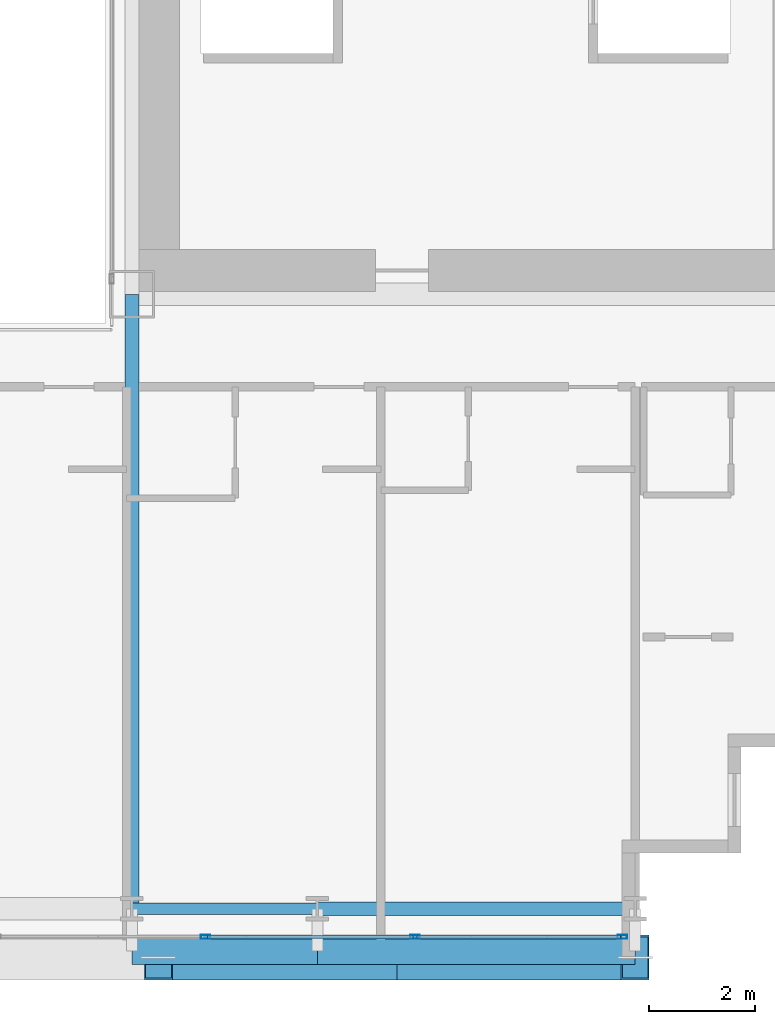
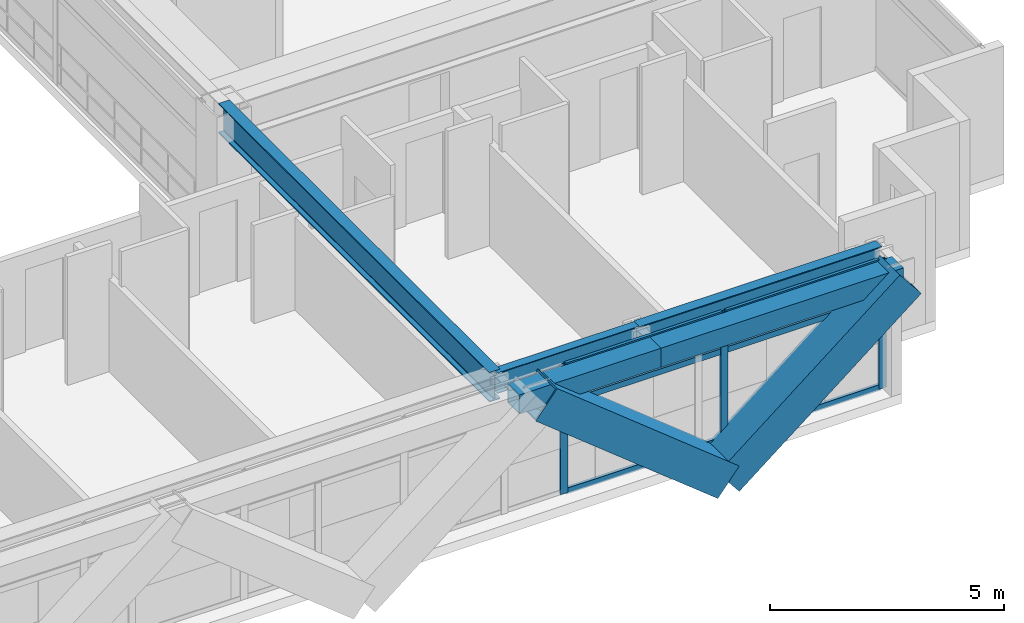
# One storey, part 11 of 41: 11 members, 5 beams, 1 element without a shape of its own.
"""IFC4 building model written with IfcOpenShell, lengths in metres."""

from ifc_helpers import new_model, si_unit, direction, frame, origin, origin_2d, place, context, subcontext, project, spatial, hollow_rectangle, i_section, extrude, source, transform, mapped, material, layer, layer_set, material_profile, profile_set, type_object, element, aggregate, save


model = new_model("IFC4")

# Units and contexts
model_context = context("Model", 3, precision=1e-05, world=origin(), true_north=direction((0.0, 1.0)))
body_context = subcontext(model_context, "Body", "Model", "MODEL_VIEW")
ifc_project = project(units=[si_unit("LENGTHUNIT", "METRE"), si_unit("AREAUNIT", "SQUARE_METRE"), si_unit("VOLUMEUNIT", "CUBIC_METRE"), si_unit("PLANEANGLEUNIT", "RADIAN"), si_unit("MASSUNIT", "GRAM", prefix="KILO")], contexts=[model_context])

# Site, building, storey
site_placement = place(None, origin())
site = spatial("IfcSite", under=ifc_project, at=site_placement, CompositionType="ELEMENT")
building_placement = place(site_placement, origin())
building = spatial("IfcBuilding", under=site, at=building_placement, Name="Ocotamira Hotel", CompositionType="ELEMENT")
storey_placement = place(building_placement, frame((0.0, 0.0, 38.39990234375)))
storey = spatial("IfcBuildingStorey", under=building, at=storey_placement, Name="L08", CompositionType="ELEMENT", Elevation=38.39990234375)

# Beams
ifc_material_1 = material(Name="Steel ASTM A992 Grade 50", Category="steel")
ifc_material_profile_1 = material_profile(ifc_material_1, i_section(OverallWidth=0.256103515625, OverallDepth=0.693115234375, WebThickness=0.014404296875, FlangeThickness=0.023681640625, FilletRadius=0.01611328125, at=origin_2d()), Name="W27X114")
ifc_profile_set_1 = profile_set([ifc_material_profile_1], Name="Steel ASTM A992 Grade 50")
beam_type_1 = type_object("IfcBeamType", Name="BM-PRIM-W27X114", PredefinedType="BEAM", material=ifc_profile_set_1)
shared_shape_1 = source(origin(), body_context, "Body", "SweptSolid", [
    extrude(i_section(OverallWidth=0.256103515625, OverallDepth=0.693115234375, WebThickness=0.014404296875, FlangeThickness=0.023681640625, FilletRadius=0.01611328125, at=origin_2d()), origin(), (0.0, 0.0, 1.0), 6.0),
])
beam_1_placement = place(storey_placement, frame((44.0, 2.949951171875, 3.003662109375), z_axis=(1.0, 0.0, 0.0), x_axis=(0.0, 1.0, 0.0)))
element("IfcBeam", 1, at=beam_1_placement, inside=storey, type_object=beam_type_1, Name="L08 Girder Y2.95 X44-50", PredefinedType="BEAM", context=body_context, shape_type="MappedRepresentation", body=[
    mapped(shared_shape_1, transform((0.0, 0.0, 0.0), scale=1.0)),
])
ifc_material_profile_2 = material_profile(ifc_material_1, i_section(OverallWidth=0.2099609375, OverallDepth=0.537109375, WebThickness=0.010986328125, FlangeThickness=0.017333984375, FilletRadius=0.012939453125, at=origin_2d()), Name="W21X68")
ifc_profile_set_2 = profile_set([ifc_material_profile_2], Name="Steel ASTM A992 Grade 50")
beam_type_2 = type_object("IfcBeamType", Name="BM-SEC-W21X68", PredefinedType="JOIST", material=ifc_profile_set_2)
shared_shape_2 = source(origin(), body_context, "Body", "SweptSolid", [
    extrude(i_section(OverallWidth=0.2099609375, OverallDepth=0.537109375, WebThickness=0.010986328125, FlangeThickness=0.017333984375, FilletRadius=0.012939453125, at=origin_2d()), origin(), (0.0, 0.0, 1.0), 3.5),
])
beam_2_placement = place(storey_placement, frame((40.5, 2.949951171875, 3.08154296875), z_axis=(1.0, 0.0, 0.0), x_axis=(0.0, 1.0, 0.0)))
element("IfcBeam", 2, at=beam_2_placement, inside=storey, type_object=beam_type_2, Name="L08 Girder Y2.95 X40.5-44", PredefinedType="JOIST", context=body_context, shape_type="MappedRepresentation", body=[
    mapped(shared_shape_2, transform((0.0, 0.0, 0.0), scale=1.0)),
])
ifc_material_profile_3 = material_profile(ifc_material_1, i_section(OverallWidth=0.26611328125, OverallDepth=0.779052734375, WebThickness=0.0166015625, FlangeThickness=0.030029296875, FilletRadius=0.01806640625, at=origin_2d()), Name="W30X148")
ifc_profile_set_3 = profile_set([ifc_material_profile_3], Name="Steel ASTM A992 Grade 50")
beam_type_3 = type_object("IfcBeamType", Name="BM-GIRD-W30X148", PredefinedType="BEAM", material=ifc_profile_set_3)
shared_shape_3 = source(origin(), body_context, "Body", "SweptSolid", [
    extrude(i_section(OverallWidth=0.26611328125, OverallDepth=0.779052734375, WebThickness=0.0166015625, FlangeThickness=0.030029296875, FilletRadius=0.01806640625, at=origin_2d()), origin(), (0.0, 0.0, 1.0), 11.60009765625),
])
beam_3_placement = place(storey_placement, frame((40.5, 2.949951171875, 2.960693359375), z_axis=(0.0, 1.0, 0.0), x_axis=(-1.0, 0.0, 0.0)))
element("IfcBeam", 3, at=beam_3_placement, inside=storey, type_object=beam_type_3, Name="L08 Beam X40.5 Y2.95-14.55", PredefinedType="BEAM", context=body_context, shape_type="MappedRepresentation", body=[
    mapped(shared_shape_3, transform((0.0, 0.0, 0.0), scale=1.0)),
])
ifc_material_2 = material(Name="Steel ASTM A500 Grade C", Category="steel")
ifc_material_profile_4 = material_profile(ifc_material_2, hollow_rectangle(XDim=0.5, YDim=0.5, WallThickness=0.02001953125, at=origin_2d()), Name="HSS500X500X20")
ifc_profile_set_4 = profile_set([ifc_material_profile_4], Name="Steel ASTM A500 Grade C")
beam_type_4 = type_object("IfcBeamType", Name="BM-SPAN-HSS500", PredefinedType="USERDEFINED", material=ifc_profile_set_4)
shared_shape_4 = source(origin(), body_context, "Body", "SweptSolid", [
    extrude(hollow_rectangle(XDim=0.5, YDim=0.5, WallThickness=0.02001953125, at=origin_2d()), origin(), (0.0, 0.0, 1.0), 6.0),
])
beam_4_placement = place(storey_placement, frame((44.0, 2.14990234375, 3.10009765625), z_axis=(1.0, 0.0, 0.0), x_axis=(0.0, 1.0, 0.0)))
element("IfcBeam", 4, at=beam_4_placement, inside=storey, type_object=beam_type_4, Name="L08 Edge Spandrel S X44-50", ObjectType="SPANDREL", PredefinedType="USERDEFINED", context=body_context, shape_type="MappedRepresentation", body=[
    mapped(shared_shape_4, transform((0.0, 0.0, 0.0), scale=1.0)),
])
shared_shape_5 = source(origin(), body_context, "Body", "SweptSolid", [
    extrude(hollow_rectangle(XDim=0.5, YDim=0.5, WallThickness=0.02001953125, at=origin_2d()), origin(), (0.0, 0.0, 1.0), 3.5),
])
beam_5_placement = place(storey_placement, frame((40.5, 2.14990234375, 3.10009765625), z_axis=(1.0, 0.0, 0.0), x_axis=(0.0, 1.0, 0.0)))
element("IfcBeam", 5, at=beam_5_placement, inside=storey, type_object=beam_type_4, Name="L08 Edge Spandrel S X40.5-44", ObjectType="SPANDREL", PredefinedType="USERDEFINED", context=body_context, shape_type="MappedRepresentation", body=[
    mapped(shared_shape_5, transform((0.0, 0.0, 0.0), scale=1.0)),
])

# Members
ifc_material_3 = material(Name="Pale-metal coated steel ASTM A913 Grade 65", Category="steel")
ifc_material_profile_5 = material_profile(ifc_material_3, hollow_rectangle(XDim=0.85009765625, YDim=0.85009765625, WallThickness=0.035888671875, at=origin_2d()), Name="BOX850X850X36")
ifc_profile_set_5 = profile_set([ifc_material_profile_5], Name="Pale-metal coated steel ASTM A913 Grade 65")
member_type_1 = type_object("IfcMemberType", Name="MEM-EXO-BOX850", PredefinedType="BRACE", material=ifc_profile_set_5)
shared_shape_6 = source(origin(), body_context, "Body", "SweptSolid", [
    extrude(hollow_rectangle(XDim=0.85009765625, YDim=0.85009765625, WallThickness=0.035888671875, at=origin_2d()), origin(), (0.0, 0.0, 1.0), 5.762939453125),
])
for number, where, z_axis, x_axis, name in (
    (6, (45.5, 2.030029296875, -0.5), (-0.780860543151, 0.0, 0.624705380279), (0.0, -1.0, 0.0), "L08 Exoskeleton Diagrid S3.1"),
    (7, (45.5, 2.030029296875, -0.5), (0.780860543151, 0.0, 0.624705380279), (0.0, 1.0, 0.0), "L08 Exoskeleton Diagrid S3.2"),
):
    element("IfcMember", number, at=place(storey_placement, frame(where, z_axis=z_axis, x_axis=x_axis)), inside=storey, type_object=member_type_1, Name=name, PredefinedType="BRACE", context=body_context, shape_type="MappedRepresentation", body=[
        mapped(shared_shape_6, transform((0.0, 0.0, 0.0), scale=1.0)),
    ])

# Curtain wall, members
ifc_material_4 = material(Name="Anodised pale-metal aluminium and solar glass", Category="aluminium")
ifc_layer = layer(ifc_material_4, 0.179931640625)
ifc_layer_set = layer_set([ifc_layer], Name="Anodised pale-metal aluminium and solar glass")
curtain_wall_type = type_object("IfcCurtainWallType", Name="CW-SYS2-Z1", PredefinedType="NOTDEFINED", material=ifc_layer_set)
curtain_wall_placement = place(storey_placement, origin())
curtain_wall = element("IfcCurtainWall", 8, at=curtain_wall_placement, inside=storey, type_object=curtain_wall_type, Name="L08 Curtain Wall CW-2 CW-L08-S1", PredefinedType="NOTDEFINED")
ifc_material_5 = material(Name="Anodised pale-metal aluminium 6063-T6", Category="aluminium")
ifc_material_profile_6 = material_profile(ifc_material_5, hollow_rectangle(XDim=0.074951171875, YDim=0.14990234375, WallThickness=0.006103515625, at=origin_2d()), Name="HSS150X75X6")
ifc_profile_set_6 = profile_set([ifc_material_profile_6], Name="Anodised pale-metal aluminium 6063-T6")
member_type_2 = type_object("IfcMemberType", Name="CWT-150X75", PredefinedType="USERDEFINED", material=ifc_profile_set_6)
shared_shape_7 = source(origin(), body_context, "Body", "SweptSolid", [
    extrude(hollow_rectangle(XDim=0.074951171875, YDim=0.14990234375, WallThickness=0.006103515625, at=origin_2d()), origin(), (0.0, 0.0, 1.0), 3.83544921875),
])
member_1_placement = place(storey_placement, frame((45.884521484375, 2.419921875, 0.03759765625), z_axis=(1.0, 0.0, 0.0), x_axis=(0.0, 1.0, 0.0)))
member_1 = element("IfcMember", 9, at=member_1_placement, type_object=member_type_2, Name="CW-2 transom 9.1", ObjectType="TRANSOM", PredefinedType="USERDEFINED", context=body_context, shape_type="MappedRepresentation", body=[
    mapped(shared_shape_7, transform((0.0, 0.0, 0.0), scale=1.0)),
])
member_2_placement = place(storey_placement, frame((45.884521484375, 2.419921875, 2.35009765625), z_axis=(1.0, 0.0, 0.0), x_axis=(0.0, 1.0, 0.0)))
member_2 = element("IfcMember", 10, at=member_2_placement, type_object=member_type_2, Name="CW-2 transom 9.2", ObjectType="TRANSOM", PredefinedType="USERDEFINED", context=body_context, shape_type="MappedRepresentation", body=[
    mapped(shared_shape_7, transform((0.0, 0.0, 0.0), scale=1.0)),
])
member_3_placement = place(storey_placement, frame((45.884521484375, 2.419921875, 3.3125), z_axis=(1.0, 0.0, 0.0), x_axis=(0.0, 1.0, 0.0)))
member_3 = element("IfcMember", 11, at=member_3_placement, type_object=member_type_2, Name="CW-2 transom 9.3", ObjectType="TRANSOM", PredefinedType="USERDEFINED", context=body_context, shape_type="MappedRepresentation", body=[
    mapped(shared_shape_7, transform((0.0, 0.0, 0.0), scale=1.0)),
])
shared_shape_8 = source(origin(), body_context, "Body", "SweptSolid", [
    extrude(hollow_rectangle(XDim=0.074951171875, YDim=0.14990234375, WallThickness=0.006103515625, at=origin_2d()), origin(), (0.0, 0.0, 1.0), 3.87548828125),
])
member_4_placement = place(storey_placement, frame((41.928955078125, 2.419921875, 0.03759765625), z_axis=(1.0, 0.0, 0.0), x_axis=(0.0, 1.0, 0.0)))
member_4 = element("IfcMember", 12, at=member_4_placement, type_object=member_type_2, Name="CW-2 transom 8.1", ObjectType="TRANSOM", PredefinedType="USERDEFINED", context=body_context, shape_type="MappedRepresentation", body=[
    mapped(shared_shape_8, transform((0.0, 0.0, 0.0), scale=1.0)),
])
member_5_placement = place(storey_placement, frame((41.928955078125, 2.419921875, 2.35009765625), z_axis=(1.0, 0.0, 0.0), x_axis=(0.0, 1.0, 0.0)))
member_5 = element("IfcMember", 13, at=member_5_placement, type_object=member_type_2, Name="CW-2 transom 8.2", ObjectType="TRANSOM", PredefinedType="USERDEFINED", context=body_context, shape_type="MappedRepresentation", body=[
    mapped(shared_shape_8, transform((0.0, 0.0, 0.0), scale=1.0)),
])
member_6_placement = place(storey_placement, frame((41.928955078125, 2.419921875, 3.3125), z_axis=(1.0, 0.0, 0.0), x_axis=(0.0, 1.0, 0.0)))
member_6 = element("IfcMember", 14, at=member_6_placement, type_object=member_type_2, Name="CW-2 transom 8.3", ObjectType="TRANSOM", PredefinedType="USERDEFINED", context=body_context, shape_type="MappedRepresentation", body=[
    mapped(shared_shape_8, transform((0.0, 0.0, 0.0), scale=1.0)),
])
ifc_material_profile_7 = material_profile(ifc_material_5, hollow_rectangle(XDim=0.080078125, YDim=0.179931640625, WallThickness=0.006103515625, at=origin_2d()), Name="HSS180X80X6")
ifc_profile_set_7 = profile_set([ifc_material_profile_7], Name="Anodised pale-metal aluminium 6063-T6")
member_type_3 = type_object("IfcMemberType", Name="CWM-180X75", PredefinedType="MULLION", material=ifc_profile_set_7)
shared_shape_9 = source(origin(), body_context, "Body", "SweptSolid", [
    extrude(hollow_rectangle(XDim=0.080078125, YDim=0.179931640625, WallThickness=0.006103515625, at=origin_2d()), origin(), (0.0, 0.0, 1.0), 3.35009765625),
])
member_7_placement = place(storey_placement, frame((41.888916015625, 2.419921875, 0.0), z_axis=(0.0, 0.0, 1.0), x_axis=(0.0, 1.0, 0.0)))
member_7 = element("IfcMember", 15, at=member_7_placement, type_object=member_type_3, Name="CW-2 mullion 8", PredefinedType="MULLION", context=body_context, shape_type="MappedRepresentation", body=[
    mapped(shared_shape_9, transform((0.0, 0.0, 0.0), scale=1.0)),
])
member_8_placement = place(storey_placement, frame((45.844482421875, 2.419921875, 0.0), z_axis=(0.0, 0.0, 1.0), x_axis=(0.0, 1.0, 0.0)))
member_8 = element("IfcMember", 16, at=member_8_placement, type_object=member_type_3, Name="CW-2 mullion 9", PredefinedType="MULLION", context=body_context, shape_type="MappedRepresentation", body=[
    mapped(shared_shape_9, transform((0.0, 0.0, 0.0), scale=1.0)),
])
member_9_placement = place(storey_placement, frame((49.760009765625, 2.419921875, 0.0), z_axis=(0.0, 0.0, 1.0), x_axis=(0.0, 1.0, 0.0)))
member_9 = element("IfcMember", 17, at=member_9_placement, type_object=member_type_3, Name="CW-2 mullion 10", PredefinedType="MULLION", context=body_context, shape_type="MappedRepresentation", body=[
    mapped(shared_shape_9, transform((0.0, 0.0, 0.0), scale=1.0)),
])
aggregate(curtain_wall, [member_7, member_8, member_9, member_4, member_5, member_6, member_1, member_2, member_3])

save(model, "model.ifc")
